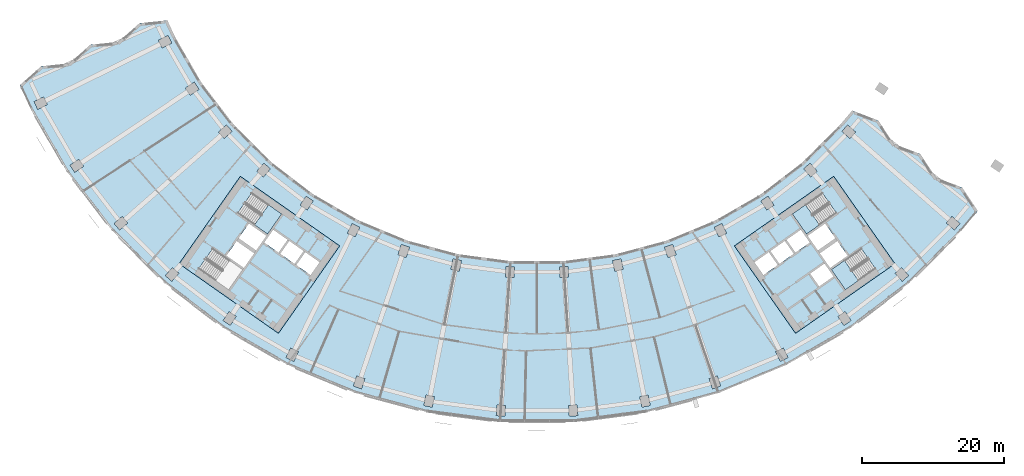
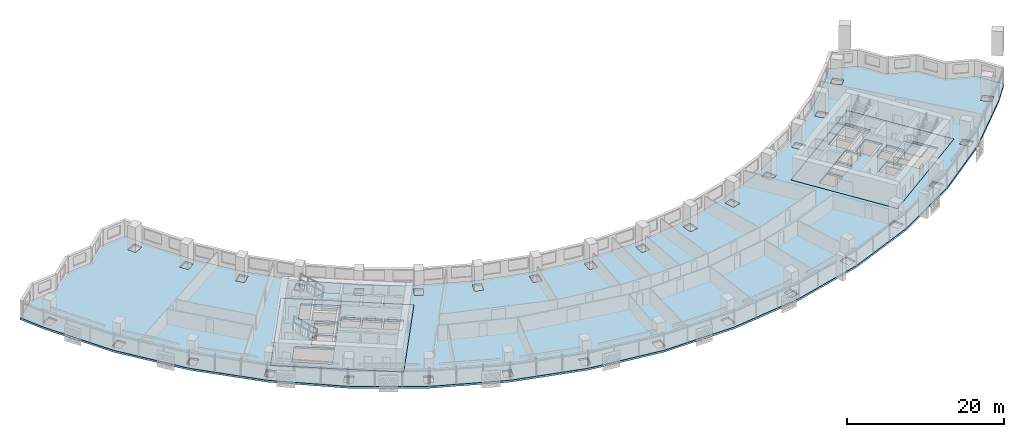
# One storey, part 2 of 29: 6 slabs, 3 elements without a shape of their own.
"""IFC4 building model written with IfcOpenShell, lengths in metres."""

from ifc_helpers import new_model, si_unit, direction, frame, origin, place, context, subcontext, project, spatial, polyline, outline, extrude, material, layer, layer_set, type_object, element, aggregate, save


model = new_model("IFC4")

# Units and contexts
model_context = context("Model", 3, precision=1e-05, world=origin(), true_north=direction((0.0, 1.0)))
body_context = subcontext(model_context, "Body", "Model", "MODEL_VIEW")
ifc_project = project(units=[si_unit("LENGTHUNIT", "METRE"), si_unit("AREAUNIT", "SQUARE_METRE"), si_unit("VOLUMEUNIT", "CUBIC_METRE"), si_unit("PLANEANGLEUNIT", "RADIAN"), si_unit("MASSUNIT", "GRAM", prefix="KILO")], contexts=[model_context])

# Site, building, storey
site_placement = place(None, origin())
site = spatial("IfcSite", under=ifc_project, at=site_placement, CompositionType="ELEMENT")
building_placement = place(site_placement, origin())
building = spatial("IfcBuilding", under=site, at=building_placement, Name="Qamariyya Broadcast Tower", CompositionType="ELEMENT")
storey_placement = place(building_placement, frame((0.0, 0.0, 136.699951171875)))
storey = spatial("IfcBuildingStorey", under=building, at=storey_placement, Name="L31", CompositionType="ELEMENT", Elevation=136.699951171875)

# Slabs
ifc_material_1 = material(Name="Concrete C40/50", Category="concrete")
ifc_layer_1 = layer(ifc_material_1, 0.300048828125)
ifc_layer_set_1 = layer_set([ifc_layer_1], Name="Core floor slab 300 mm Concrete C40/50")
slab_type_1 = type_object("IfcSlabType", Name="Core floor slab 300 mm Concrete C40/50", PredefinedType="FLOOR", material=ifc_layer_set_1)
slab_1_placement = place(storey_placement, frame((0.0, 0.0, -0.300048828125)))
element("IfcSlab", 1, at=slab_1_placement, inside=storey, type_object=slab_type_1, Name="k-W-L31-slab", PredefinedType="FLOOR", context=body_context, shape_type="SweptSolid", body=[
    extrude(outline(polyline([(-50.286376953125, -56.95751953125), (-36.32373046875, -66.734375), (-27.719970703125, -54.447021484375), (-41.6826171875, -44.67041015625), (-50.286376953125, -56.95751953125)]), holes=[polyline([(-31.80859375, -58.542724609375), (-33.8154296875, -57.137451171875), (-32.5537109375, -55.335205078125), (-30.546630859375, -56.740478515625), (-31.80859375, -58.542724609375)]), polyline([(-34.061279296875, -56.96533203125), (-36.068115234375, -55.56005859375), (-34.806396484375, -53.758056640625), (-32.79931640625, -55.163330078125), (-34.061279296875, -56.96533203125)]), polyline([(-36.31396484375, -55.387939453125), (-38.32080078125, -53.982666015625), (-37.058837890625, -52.1806640625), (-35.052001953125, -53.5859375), (-36.31396484375, -55.387939453125)]), polyline([(-39.742431640625, -55.489990234375), (-42.199951171875, -53.769287109375), (-43.6337890625, -55.817138671875), (-41.17626953125, -57.537841796875), (-39.742431640625, -55.489990234375)]), polyline([(-39.45556640625, -55.080322265625), (-41.9130859375, -53.359619140625), (-40.47900390625, -51.311767578125), (-38.021728515625, -53.032470703125), (-39.45556640625, -55.080322265625)]), polyline([(-42.06103515625, -49.837890625), (-37.849609375, -52.78662109375), (-35.870849609375, -49.960693359375), (-40.082275390625, -47.01171875), (-42.06103515625, -49.837890625)]), polyline([(-47.538818359375, -57.66064453125), (-43.3271484375, -60.609619140625), (-41.348388671875, -57.783447265625), (-45.559814453125, -54.834716796875), (-47.538818359375, -57.66064453125)])]), origin(), (0.0, 0.0, 1.0), 0.300048828125),
])
slab_2_placement = place(storey_placement, frame((0.0, 0.0, -0.300048828125)))
element("IfcSlab", 2, at=slab_2_placement, inside=storey, type_object=slab_type_1, Name="k-E-L31-slab", PredefinedType="FLOOR", context=body_context, shape_type="SweptSolid", body=[
    extrude(outline(polyline([(36.32373046875, -66.734375), (50.286376953125, -56.95751953125), (41.6826171875, -44.67041015625), (27.719970703125, -54.447021484375), (36.32373046875, -66.734375)]), holes=[polyline([(31.80859375, -58.542724609375), (33.8154296875, -57.137451171875), (32.5537109375, -55.335205078125), (30.546630859375, -56.740478515625), (31.80859375, -58.542724609375)]), polyline([(34.061279296875, -56.96533203125), (36.068115234375, -55.56005859375), (34.806396484375, -53.758056640625), (32.79931640625, -55.163330078125), (34.061279296875, -56.96533203125)]), polyline([(36.31396484375, -55.387939453125), (38.32080078125, -53.982666015625), (37.058837890625, -52.1806640625), (35.052001953125, -53.5859375), (36.31396484375, -55.387939453125)]), polyline([(38.378662109375, -58.3369140625), (40.3857421875, -56.931640625), (41.6474609375, -58.73388671875), (39.640625, -60.13916015625), (38.378662109375, -58.3369140625)]), polyline([(39.742431640625, -55.489990234375), (42.199951171875, -53.769287109375), (43.6337890625, -55.817138671875), (41.17626953125, -57.537841796875), (39.742431640625, -55.489990234375)]), polyline([(39.45556640625, -55.080322265625), (41.9130859375, -53.359619140625), (40.47900390625, -51.311767578125), (38.021728515625, -53.032470703125), (39.45556640625, -55.080322265625)]), polyline([(40.082275390625, -47.01171875), (35.870849609375, -49.960693359375), (37.849609375, -52.78662109375), (42.06103515625, -49.837890625), (40.082275390625, -47.01171875)]), polyline([(45.559814453125, -54.834716796875), (41.348388671875, -57.783447265625), (43.3271484375, -60.609619140625), (47.538818359375, -57.66064453125), (45.559814453125, -54.834716796875)])]), origin(), (0.0, 0.0, 1.0), 0.300048828125),
])
ifc_layer_2 = layer(ifc_material_1, 0.300048828125)
ifc_layer_set_2 = layer_set([ifc_layer_2], Name="Post-tensioned floor slab 300 C40/50")
slab_type_2 = type_object("IfcSlabType", Name="Post-tensioned floor slab 300 C40/50", PredefinedType="FLOOR", material=ifc_layer_set_2)
slab_3_placement = place(storey_placement, frame((0.0, 0.0, -0.300048828125)))
element("IfcSlab", 3, at=slab_3_placement, inside=storey, type_object=slab_type_2, Name="Floor slab S4 L31", PredefinedType="FLOOR", context=body_context, shape_type="SweptSolid", body=[
    extrude(outline(polyline([(-69.6572265625, -29.208984375), (-72.634521484375, -31.823486328125), (-71.1220703125, -35.073486328125), (-65.935546875, -44.056640625), (-59.620849609375, -52.2861328125), (-52.2861328125, -59.620849609375), (-44.056640625, -65.935546875), (-35.073486328125, -71.1220703125), (-25.490234375, -75.091552734375), (-15.470703125, -77.7763671875), (-5.1865234375, -79.130126953125), (5.1865234375, -79.130126953125), (15.470703125, -77.7763671875), (25.490234375, -75.091552734375), (35.073486328125, -71.1220703125), (44.056640625, -65.935546875), (52.2861328125, -59.620849609375), (59.620849609375, -52.2861328125), (61.9228515625, -49.538330078125), (59.723876953125, -46.2421875), (56.04052734375, -44.832275390625), (53.840576171875, -41.53564453125), (50.157958984375, -40.126220703125), (47.956787109375, -36.828857421875), (44.275390625, -35.420166015625), (42.62939453125, -37.385009765625), (37.385009765625, -42.62939453125), (31.500732421875, -47.144287109375), (25.077880859375, -50.852783203125), (18.2255859375, -53.69091796875), (11.0615234375, -55.610595703125), (3.708251953125, -56.57861328125), (-3.708251953125, -56.57861328125), (-11.0615234375, -55.610595703125), (-18.2255859375, -53.69091796875), (-25.077880859375, -50.852783203125), (-31.500732421875, -47.144287109375), (-37.385009765625, -42.62939453125), (-42.62939453125, -37.385009765625), (-47.144287109375, -31.500732421875), (-50.852783203125, -25.077880859375), (-51.93408203125, -22.75390625), (-55.854736328125, -23.16162109375), (-58.834228515625, -25.777099609375), (-62.756103515625, -26.185302734375), (-65.734375, -28.80029296875), (-69.6572265625, -29.208984375)]), holes=[polyline([(-5.73291015625, -78.292724609375), (-5.634765625, -76.7958984375), (-4.437255859375, -76.874267578125), (-4.535400390625, -78.37109375), (-5.73291015625, -78.292724609375)]), polyline([(-15.903076171875, -76.87451171875), (-15.6103515625, -75.4033203125), (-14.43359375, -75.637451171875), (-14.72607421875, -77.108642578125), (-15.903076171875, -76.87451171875)]), polyline([(-25.80126953125, -74.14111328125), (-25.319091796875, -72.720703125), (-24.1826171875, -73.1064453125), (-24.664794921875, -74.52685546875), (-25.80126953125, -74.14111328125)]), polyline([(-35.2578125, -70.13916015625), (-34.59423828125, -68.7939453125), (-33.51806640625, -69.324462890625), (-34.181640625, -70.669921875), (-35.2578125, -70.13916015625)]), polyline([(-44.111083984375, -64.93701171875), (-43.27783203125, -63.689697265625), (-42.280029296875, -64.3564453125), (-43.11328125, -65.603759765625), (-44.111083984375, -64.93701171875)]), polyline([(-52.209716796875, -58.623779296875), (-51.220703125, -57.49609375), (-50.318603515625, -58.287353515625), (-51.3076171875, -59.4150390625), (-52.209716796875, -58.623779296875)]), polyline([(-12.098876953125, -57.749267578125), (-11.80615234375, -56.278076171875), (-10.629150390625, -56.51220703125), (-10.921875, -57.9833984375), (-12.098876953125, -57.749267578125)]), polyline([(-41.6826171875, -44.67041015625), (-27.719970703125, -54.447021484375), (-36.32373046875, -66.734375), (-50.286376953125, -56.95751953125), (-41.6826171875, -44.67041015625)]), polyline([(-19.051025390625, -54.255615234375), (-17.91455078125, -54.641357421875), (-18.396728515625, -56.061767578125), (-19.533203125, -55.676025390625), (-19.051025390625, -54.255615234375)]), polyline([(-26.633056640625, -52.650146484375), (-25.9697265625, -51.3046875), (-24.8935546875, -51.83544921875), (-25.556884765625, -53.180908203125), (-26.633056640625, -52.650146484375)]), polyline([(-59.4150390625, -51.3076171875), (-58.287353515625, -50.318603515625), (-57.49609375, -51.220703125), (-58.623779296875, -52.209716796875), (-59.4150390625, -51.3076171875)]), polyline([(-33.277587890625, -48.723388671875), (-32.444091796875, -47.47607421875), (-31.4462890625, -48.142822265625), (-32.27978515625, -49.39013671875), (-33.277587890625, -48.723388671875)]), polyline([(-39.3525390625, -43.962890625), (-38.363525390625, -42.835205078125), (-37.461181640625, -43.62646484375), (-38.4501953125, -44.754150390625), (-39.3525390625, -43.962890625)]), polyline([(-65.603759765625, -43.11328125), (-64.3564453125, -42.280029296875), (-63.689697265625, -43.27783203125), (-64.93701171875, -44.111083984375), (-65.603759765625, -43.11328125)]), polyline([(-44.754150390625, -38.4501953125), (-43.62646484375, -37.461181640625), (-42.835205078125, -38.363525390625), (-43.962890625, -39.3525390625), (-44.754150390625, -38.4501953125)]), polyline([(-70.669921875, -34.181640625), (-69.324462890625, -33.51806640625), (-68.7939453125, -34.59423828125), (-70.13916015625, -35.2578125), (-70.669921875, -34.181640625)]), polyline([(-48.142822265625, -31.4462890625), (-47.47607421875, -32.444091796875), (-48.723388671875, -33.277587890625), (-49.39013671875, -32.27978515625), (-48.142822265625, -31.4462890625)]), polyline([(-51.83544921875, -24.8935546875), (-51.3046875, -25.9697265625), (-52.650146484375, -26.633056640625), (-53.180908203125, -25.556884765625), (-51.83544921875, -24.8935546875)]), polyline([(4.535400390625, -78.37109375), (4.437255859375, -76.874267578125), (5.634765625, -76.7958984375), (5.73291015625, -78.292724609375), (4.535400390625, -78.37109375)]), polyline([(14.72607421875, -77.108642578125), (14.43359375, -75.637451171875), (15.6103515625, -75.4033203125), (15.903076171875, -76.87451171875), (14.72607421875, -77.108642578125)]), polyline([(24.664794921875, -74.52685546875), (24.1826171875, -73.1064453125), (25.319091796875, -72.720703125), (25.80126953125, -74.14111328125), (24.664794921875, -74.52685546875)]), polyline([(34.181640625, -70.669921875), (33.51806640625, -69.324462890625), (34.59423828125, -68.7939453125), (35.2578125, -70.13916015625), (34.181640625, -70.669921875)]), polyline([(43.11328125, -65.603759765625), (42.280029296875, -64.3564453125), (43.27783203125, -63.689697265625), (44.111083984375, -64.93701171875), (43.11328125, -65.603759765625)]), polyline([(51.3076171875, -59.4150390625), (50.318603515625, -58.287353515625), (51.220703125, -57.49609375), (52.209716796875, -58.623779296875), (51.3076171875, -59.4150390625)]), polyline([(3.260009765625, -58.912841796875), (3.161865234375, -57.416015625), (4.359375, -57.337646484375), (4.45751953125, -58.83447265625), (3.260009765625, -58.912841796875)]), polyline([(-4.359375, -57.337646484375), (-3.161865234375, -57.416015625), (-3.260009765625, -58.912841796875), (-4.45751953125, -58.83447265625), (-4.359375, -57.337646484375)]), polyline([(10.629150390625, -56.51220703125), (11.80615234375, -56.278076171875), (12.098876953125, -57.749267578125), (10.921875, -57.9833984375), (10.629150390625, -56.51220703125)]), polyline([(36.32373046875, -66.734375), (27.719970703125, -54.447021484375), (41.6826171875, -44.67041015625), (50.286376953125, -56.95751953125), (36.32373046875, -66.734375)]), polyline([(18.396728515625, -56.061767578125), (17.91455078125, -54.641357421875), (19.051025390625, -54.255615234375), (19.533203125, -55.676025390625), (18.396728515625, -56.061767578125)]), polyline([(25.556884765625, -53.180908203125), (24.8935546875, -51.83544921875), (25.9697265625, -51.3046875), (26.633056640625, -52.650146484375), (25.556884765625, -53.180908203125)]), polyline([(58.623779296875, -52.209716796875), (57.49609375, -51.220703125), (58.287353515625, -50.318603515625), (59.4150390625, -51.3076171875), (58.623779296875, -52.209716796875)]), polyline([(32.27978515625, -49.39013671875), (31.4462890625, -48.142822265625), (32.444091796875, -47.47607421875), (33.277587890625, -48.723388671875), (32.27978515625, -49.39013671875)]), polyline([(38.4501953125, -44.754150390625), (37.461181640625, -43.62646484375), (38.363525390625, -42.835205078125), (39.3525390625, -43.962890625), (38.4501953125, -44.754150390625)]), polyline([(42.835205078125, -38.363525390625), (43.62646484375, -37.461181640625), (44.754150390625, -38.4501953125), (43.962890625, -39.3525390625), (42.835205078125, -38.363525390625)])]), origin(), (0.0, 0.0, 1.0), 0.300048828125),
])

# Stair, slab
ifc_material_2 = material(Name="Concrete C50/60", Category="concrete")
stair_type = type_object("IfcStairType", Name="Exit stair 22 risers of 173 mm", PredefinedType="HALF_TURN_STAIR", material=ifc_material_2)
stair_1_placement = place(storey_placement, origin())
stair_1 = element("IfcStair", 4, at=stair_1_placement, inside=storey, type_object=stair_type, Name="L31 Stair W2", PredefinedType="HALF_TURN_STAIR")
ifc_layer_3 = layer(ifc_material_2, 0.199951171875)
ifc_layer_set_3 = layer_set([ifc_layer_3], Name="Stair landing")
slab_type_3 = type_object("IfcSlabType", Name="Stair landing", PredefinedType="LANDING", material=ifc_layer_set_3)
slab_4_placement = place(storey_placement, frame((0.0, 0.0, 1.699951171875)))
slab_4 = element("IfcSlab", 5, at=slab_4_placement, type_object=slab_type_3, Name="ST-W2 landing 1", PredefinedType="LANDING", context=body_context, shape_type="SweptSolid", body=[
    extrude(outline(polyline([(-39.692138671875, -51.49658203125), (-37.849609375, -52.78662109375), (-35.870849609375, -49.960693359375), (-37.71337890625, -48.67041015625), (-39.692138671875, -51.49658203125)])), origin(), (0.0, 0.0, 1.0), 0.2001953125),
])
aggregate(stair_1, [slab_4])

stair_2_placement = place(storey_placement, origin())
stair_2 = element("IfcStair", 6, at=stair_2_placement, inside=storey, type_object=stair_type, Name="L31 Stair E2", PredefinedType="HALF_TURN_STAIR")
slab_5_placement = place(storey_placement, frame((0.0, 0.0, 1.699951171875)))
slab_5 = element("IfcSlab", 7, at=slab_5_placement, type_object=slab_type_3, Name="ST-E2 landing 1", PredefinedType="LANDING", context=body_context, shape_type="SweptSolid", body=[
    extrude(outline(polyline([(37.71337890625, -48.67041015625), (35.870849609375, -49.960693359375), (37.849609375, -52.78662109375), (39.692138671875, -51.49658203125), (37.71337890625, -48.67041015625)])), origin(), (0.0, 0.0, 1.0), 0.2001953125),
])
aggregate(stair_2, [slab_5])

stair_3_placement = place(storey_placement, origin())
stair_3 = element("IfcStair", 8, at=stair_3_placement, inside=storey, type_object=stair_type, Name="L31 Stair E1", PredefinedType="HALF_TURN_STAIR")
slab_6_placement = place(storey_placement, frame((0.0, 0.0, 1.699951171875)))
slab_6 = element("IfcSlab", 9, at=slab_6_placement, type_object=slab_type_3, Name="ST-E1 landing 1", PredefinedType="LANDING", context=body_context, shape_type="SweptSolid", body=[
    extrude(outline(polyline([(43.19091796875, -56.493408203125), (41.348388671875, -57.783447265625), (43.3271484375, -60.609619140625), (45.169677734375, -59.319580078125), (43.19091796875, -56.493408203125)])), origin(), (0.0, 0.0, 1.0), 0.2001953125),
])
aggregate(stair_3, [slab_6])

save(model, "model.ifc")
